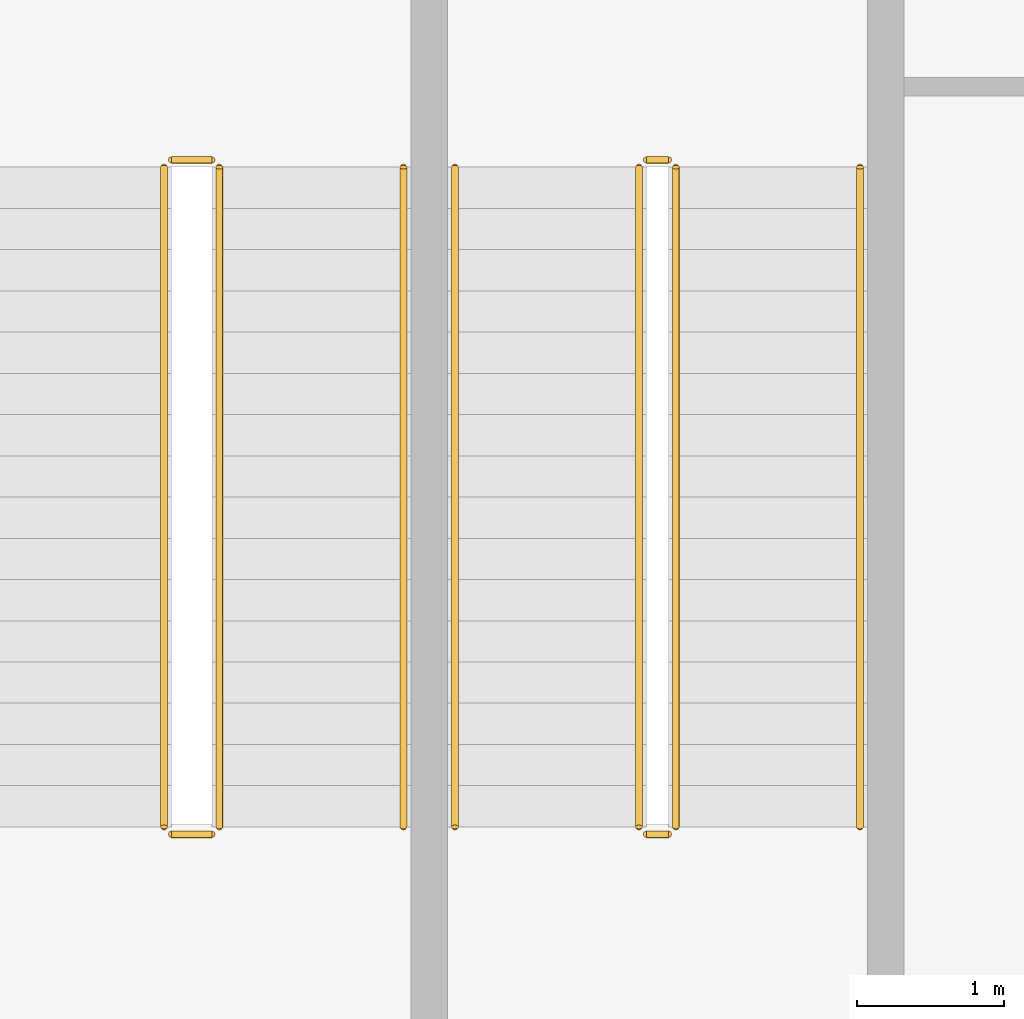
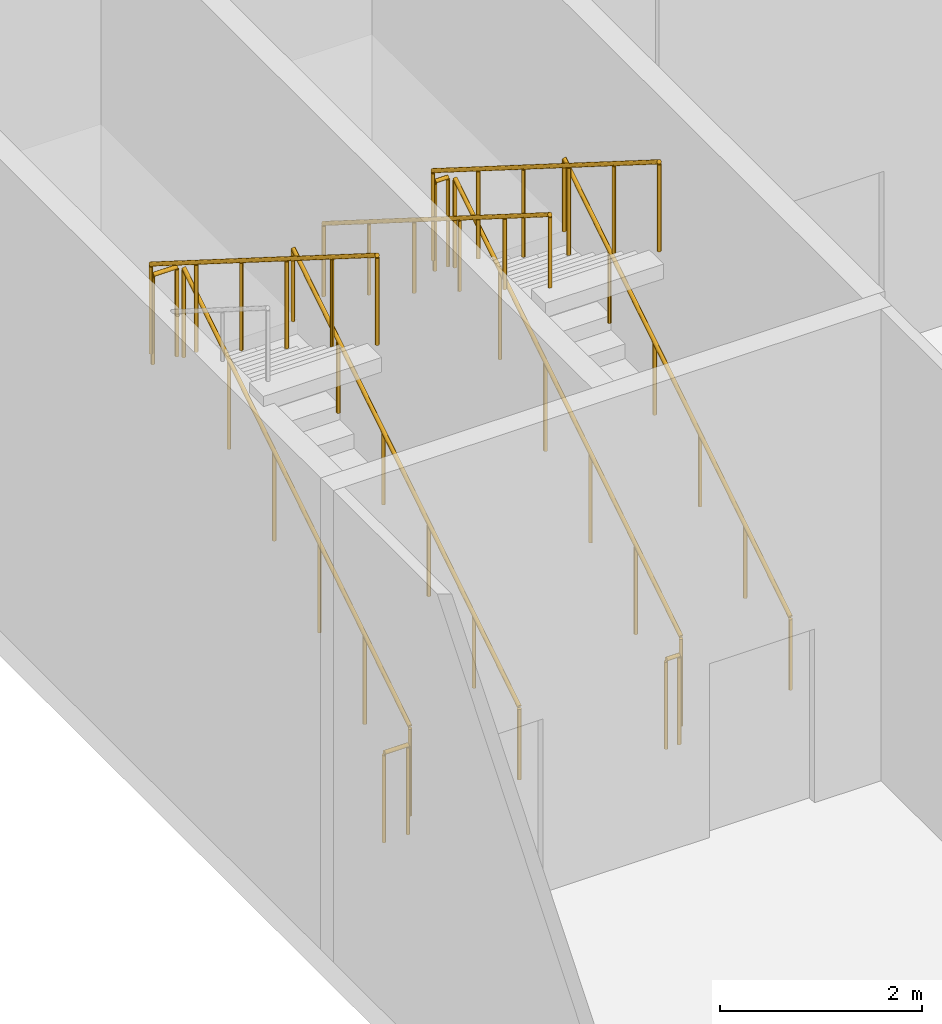
# One storey, part 48 of 49: 11 railings.
"""IFC4 building model written with IfcOpenShell, lengths in metres."""

import ifcopenshell
import ifcopenshell.guid

model = None  # the IFC model being written
_history = None  # IfcOwnerHistory: only IFC2X3 demands one
_inside = {}  # id of a spatial element -> (the spatial element, [elements in it])
_under = {}  # id of a project, library or spatial element -> (it, [spatial elements below it])
_declared = {}  # id of a project -> (the project, [libraries it declares])
_typed = {}  # id of a type object -> (the type object, [elements of that type])
_made_of = {}  # id of a material, layer set ... -> (it, [elements and type objects made of it])


def new_model(schema):
    """Start an empty IFC model of exactly this schema.

    Asked for "IFC4X3", IfcOpenShell would pick the latest addendum, in which some entities
    have other attributes; the version numbers below select the first issue.
    IFC2X3 requires an IfcOwnerHistory on every rooted entity: one is made here for all.
    """
    global model, _history
    if schema == "IFC4X3":
        model = ifcopenshell.file(schema_version=(4, 3, 0, 0))
    else:
        model = ifcopenshell.file(schema=schema)
    _inside.clear()
    _under.clear()
    _declared.clear()
    _typed.clear()
    _made_of.clear()
    _history = None
    if model.schema == "IFC2X3":
        org = make("IfcOrganization", Name="unknown")
        user = make(
            "IfcPersonAndOrganization",
            ThePerson=make("IfcPerson", FamilyName="unknown"),
            TheOrganization=org,
        )
        app = make(
            "IfcApplication",
            ApplicationDeveloper=org,
            Version="unknown",
            ApplicationFullName="unknown",
            ApplicationIdentifier="unknown",
        )
        _history = make(
            "IfcOwnerHistory",
            OwningUser=user,
            OwningApplication=app,
            ChangeAction="ADDED",
            CreationDate=0,
        )
    return model


def make(cls, **values):
    """One entity of the class cls with the attributes given. An attribute that is None is left unset."""
    return model.create_entity(
        cls, **{name: value for name, value in values.items() if value is not None}
    )


def rooted(cls, **values):
    """An entity with a GlobalId (a new one), such as an element, a storey or a relation."""
    return make(cls, GlobalId=ifcopenshell.guid.new(), OwnerHistory=_history, **values)


def si_unit(unit_type, name, prefix=None):
    """IfcSIUnit, for example si_unit("LENGTHUNIT", "METRE", prefix="MILLI")."""
    return make("IfcSIUnit", UnitType=unit_type, Prefix=prefix, Name=name)


def assignment(units):
    """IfcUnitAssignment: the units of a project."""
    return None if units is None else make("IfcUnitAssignment", Units=units)


def point(xyz):
    """IfcCartesianPoint."""
    return None if xyz is None else make("IfcCartesianPoint", Coordinates=xyz)


def direction(xyz):
    """IfcDirection."""
    return None if xyz is None else make("IfcDirection", DirectionRatios=xyz)


def frame(location, z_axis=None, x_axis=None):
    """IfcAxis2Placement3D, a coordinate frame: its origin and axes. An axis left out is left unset."""
    return make(
        "IfcAxis2Placement3D",
        Location=point(location),
        Axis=direction(z_axis),
        RefDirection=direction(x_axis),
    )


def frame_2d(location, x_axis=None):
    """IfcAxis2Placement2D, a coordinate frame in the plane: its origin and x axis."""
    return make(
        "IfcAxis2Placement2D", Location=point(location), RefDirection=direction(x_axis)
    )


def origin():
    """The frame at (0, 0, 0) with its axes left unset."""
    return frame((0.0, 0.0, 0.0))


def origin_2d():
    """The frame at (0, 0) in the plane with its x axis left unset."""
    return frame_2d((0.0, 0.0))


def place(relative_to, where):
    """IfcLocalPlacement: puts the frame where relative to a parent placement (None: the world)."""
    return make(
        "IfcLocalPlacement", PlacementRelTo=relative_to, RelativePlacement=where
    )


def context(
    kind, dimensions, precision=None, world=None, true_north=None, identifier=None
):
    """IfcGeometricRepresentationContext, for example the 3D "Model" context."""
    return make(
        "IfcGeometricRepresentationContext",
        ContextIdentifier=identifier,
        ContextType=kind,
        CoordinateSpaceDimension=dimensions,
        Precision=precision,
        WorldCoordinateSystem=world,
        TrueNorth=true_north,
    )


def subcontext(parent, identifier, kind, view, scale=None):
    """IfcGeometricRepresentationSubContext, for example "Body" below "Model"."""
    return make(
        "IfcGeometricRepresentationSubContext",
        ContextIdentifier=identifier,
        ContextType=kind,
        ParentContext=parent,
        TargetScale=scale,
        TargetView=view,
    )


def project(units=None, contexts=None):
    """IfcProject with its units and contexts."""
    return rooted(
        "IfcProject",
        Name="project",
        RepresentationContexts=contexts,
        UnitsInContext=assignment(units),
    )


def spatial(cls, under=None, at=None, **own):
    """A site, building, storey or space (cls), placed at a placement, below another one or the project."""
    s = rooted(cls, ObjectPlacement=at, **own)
    if under is not None:
        _under.setdefault(under.id(), (under, []))[1].append(s)
    return s


def profile(cls, at=None, kind="AREA", **sizes):
    """A parametric profile (cls). Its sizes go by their IFC names, for example OverallWidth=200.0."""
    return make(cls, ProfileType=kind, Position=at, **sizes)


def circle(**sizes):
    """IfcCircleProfileDef."""
    return profile("IfcCircleProfileDef", **sizes)


def extrude(swept, where, along, depth):
    """IfcExtrudedAreaSolid: the profile swept, set in the frame where, extruded along a direction by depth."""
    return make(
        "IfcExtrudedAreaSolid",
        SweptArea=swept,
        Position=where,
        ExtrudedDirection=direction(along),
        Depth=depth,
    )


def shape(context_of_items, identifier, shape_type, items):
    """IfcShapeRepresentation: the items that make up one representation, for example the "Body"."""
    return make(
        "IfcShapeRepresentation",
        ContextOfItems=context_of_items,
        RepresentationIdentifier=identifier,
        RepresentationType=shape_type,
        Items=items,
    )


def material(Name=None, Category=None):
    """IfcMaterial."""
    return make("IfcMaterial", Name=Name, Category=Category)


def made_of(thing, what):
    """Note that an element or type object is made of a material, layer set ...; save() writes the relation."""
    if what is not None:
        _made_of.setdefault(what.id(), (what, []))[1].append(thing)
    return thing


def type_object(cls, material=None, **own):
    """A type object (cls), such as IfcWallType, which elements share."""
    return made_of(rooted(cls, **own), material)


def element(
    cls,
    number,
    at=None,
    inside=None,
    cuts=None,
    type_object=None,
    material=None,
    context=None,
    identifier="Body",
    shape_type=None,
    held_by="IfcProductDefinitionShape",
    body=None,
    shapes=None,
    **own,
):
    """One element of the class cls, such as IfcWall. Its Tag is "e" and its number.

    at: its placement. inside: the storey or other place that contains it. cuts: it is an
    opening in that element (IfcRelVoidsElement). A single representation is given by context,
    identifier, shape_type and body (its items); several are given by shapes. held_by: the class
    of the entity that holds the representations. save() writes the other relations.
    """
    e = rooted(cls, Tag="e%d" % number, ObjectPlacement=at, **own)
    if body is not None:
        shapes = [shape(context, identifier, shape_type, body)]
    if shapes is not None:
        e.Representation = make(held_by, Representations=shapes)
    if inside is not None:
        _inside.setdefault(inside.id(), (inside, []))[1].append(e)
    if cuts is not None:
        rooted(
            "IfcRelVoidsElement", RelatingBuildingElement=cuts, RelatedOpeningElement=e
        )
    if type_object is not None:
        _typed.setdefault(type_object.id(), (type_object, []))[1].append(e)
    return made_of(e, material)


def aggregate(whole, parts):
    """IfcRelAggregates: a whole, such as a stair, and the parts it consists of."""
    return rooted("IfcRelAggregates", RelatingObject=whole, RelatedObjects=parts)


def save(model, path):
    """Write the relations noted so far, then the file.

    IfcRelAggregates (storeys below a building ...), IfcRelContainedInSpatialStructure (elements
    in a storey), IfcRelDefinesByType, IfcRelAssociatesMaterial and IfcRelDeclares: one each for
    every whole, place, type object, material and project.
    """
    for whole, parts in _under.values():
        aggregate(whole, parts)
    for where, things in _inside.values():
        rooted(
            "IfcRelContainedInSpatialStructure",
            RelatedElements=things,
            RelatingStructure=where,
        )
    for kind, things in _typed.values():
        rooted("IfcRelDefinesByType", RelatedObjects=things, RelatingType=kind)
    for what, things in _made_of.values():
        rooted("IfcRelAssociatesMaterial", RelatedObjects=things, RelatingMaterial=what)
    for by, libraries in _declared.values():
        rooted("IfcRelDeclares", RelatingContext=by, RelatedDefinitions=libraries)
    model.write(path)


model = new_model("IFC4")

# Units and contexts
model_context = context("Model", 3, precision=1e-05, world=origin(), true_north=direction((0.0, 1.0)))
body_context = subcontext(model_context, "Body", "Model", "MODEL_VIEW")
ifc_project = project(units=[si_unit("LENGTHUNIT", "METRE"), si_unit("AREAUNIT", "SQUARE_METRE"), si_unit("VOLUMEUNIT", "CUBIC_METRE"), si_unit("PLANEANGLEUNIT", "RADIAN"), si_unit("MASSUNIT", "GRAM", prefix="KILO")], contexts=[model_context])

# Site, building, storey
site_placement = place(None, origin())
site = spatial("IfcSite", under=ifc_project, at=site_placement, CompositionType="ELEMENT")
building_placement = place(site_placement, origin())
building = spatial("IfcBuilding", under=site, at=building_placement, Name="Candeia Pilgrim Tower and Theatre", CompositionType="ELEMENT")
storey_placement = place(building_placement, frame((0.0, 0.0, 17.0)))
storey = spatial("IfcBuildingStorey", under=building, at=storey_placement, Name="L02", CompositionType="ELEMENT", Elevation=17.0)

# Railings
ifc_material = material(Name="Steel S355", Category="steel")
railing_type_1 = type_object("IfcRailingType", Name="Guard 1100 steel balustrade", PredefinedType="GUARDRAIL", material=ifc_material)
railing_1_placement = place(storey_placement, frame((177.800048828125, 107.77490234375, 0.176513671875)))
element("IfcRailing", 1, at=railing_1_placement, inside=storey, type_object=railing_type_1, Name="L02 TS1 stair guard 1", PredefinedType="GUARDRAIL", context=body_context, shape_type="SweptSolid", body=[
    extrude(circle(Radius=0.02392578125, at=origin_2d()), frame((0.0, 0.0, 1.076171875), z_axis=(0.0, 0.845997938375, 0.533186166611), x_axis=(-1.0, 0.0, 0.0)), (0.0, 0.0, 1.0), 5.29541015625),
    extrude(circle(Radius=0.02099609375, at=origin_2d()), origin(), (0.0, 0.0, 1.0), 1.052001953125),
    extrude(circle(Radius=0.02099609375, at=origin_2d()), frame((0.0, 0.89599609375, 0.564697265625)), (0.0, 0.0, 1.0), 1.052001953125),
    extrude(circle(Radius=0.02099609375, at=origin_2d()), frame((0.0, 1.7919921875, 1.12939453125)), (0.0, 0.0, 1.0), 1.052001953125),
    extrude(circle(Radius=0.02099609375, at=origin_2d()), frame((0.0, 2.68798828125, 1.694091796875)), (0.0, 0.0, 1.0), 1.052001953125),
    extrude(circle(Radius=0.02099609375, at=origin_2d()), frame((0.0, 3.583984375, 2.2587890625)), (0.0, 0.0, 1.0), 1.052001953125),
    extrude(circle(Radius=0.02099609375, at=origin_2d()), frame((0.0, 4.47998046875, 2.823486328125)), (0.0, 0.0, 1.0), 1.052001953125),
])
railing_2_placement = place(storey_placement, frame((177.75, 112.304931640625, 3.0)))
element("IfcRailing", 2, at=railing_2_placement, inside=storey, type_object=railing_type_1, Name="L02 TS1 stair guard 2", PredefinedType="GUARDRAIL", context=body_context, shape_type="SweptSolid", body=[
    extrude(circle(Radius=0.02392578125, at=origin_2d()), frame((0.0, 0.0, 1.076171875), z_axis=(-1.0, 0.0, 0.0), x_axis=(0.0, -1.0, 0.0)), (0.0, 0.0, 1.0), 0.27490234375),
    extrude(circle(Radius=0.02099609375, at=origin_2d()), origin(), (0.0, 0.0, 1.0), 1.052001953125),
    extrude(circle(Radius=0.02099609375, at=origin_2d()), frame((-0.27490234375, 0.0, 0.0)), (0.0, 0.0, 1.0), 1.052001953125),
])
railing_3_placement = place(storey_placement, frame((177.425048828125, 112.2548828125, 3.176513671875)))
element("IfcRailing", 3, at=railing_3_placement, inside=storey, type_object=railing_type_1, Name="L02 TS1 stair guard 3", PredefinedType="GUARDRAIL", context=body_context, shape_type="SweptSolid", body=[
    extrude(circle(Radius=0.02392578125, at=origin_2d()), frame((0.0, 0.0, 1.076171875), z_axis=(0.0, -0.845997938375, 0.533186166611), x_axis=(1.0, 0.0, 0.0)), (0.0, 0.0, 1.0), 5.29541015625),
    extrude(circle(Radius=0.02099609375, at=origin_2d()), origin(), (0.0, 0.0, 1.0), 1.052001953125),
    extrude(circle(Radius=0.02099609375, at=origin_2d()), frame((0.0, -0.89599609375, 0.564697265625)), (0.0, 0.0, 1.0), 1.052001953125),
    extrude(circle(Radius=0.02099609375, at=origin_2d()), frame((0.0, -1.7919921875, 1.12939453125)), (0.0, 0.0, 1.0), 1.052001953125),
    extrude(circle(Radius=0.02099609375, at=origin_2d()), frame((0.0, -2.68798828125, 1.694091796875)), (0.0, 0.0, 1.0), 1.052001953125),
    extrude(circle(Radius=0.02099609375, at=origin_2d()), frame((0.0, -3.583984375, 2.2587890625)), (0.0, 0.0, 1.0), 1.052001953125),
    extrude(circle(Radius=0.02099609375, at=origin_2d()), frame((0.0, -4.47998046875, 2.823486328125)), (0.0, 0.0, 1.0), 1.052001953125),
])
railing_4_placement = place(storey_placement, frame((177.75, 107.72509765625, 0.0)))
element("IfcRailing", 4, at=railing_4_placement, inside=storey, type_object=railing_type_1, Name="L02 TS1 stair guard 4", PredefinedType="GUARDRAIL", context=body_context, shape_type="SweptSolid", body=[
    extrude(circle(Radius=0.02392578125, at=origin_2d()), frame((0.0, 0.0, 1.076171875), z_axis=(-1.0, 0.0, 0.0), x_axis=(0.0, -1.0, 0.0)), (0.0, 0.0, 1.0), 0.27490234375),
    extrude(circle(Radius=0.02099609375, at=origin_2d()), origin(), (0.0, 0.0, 1.0), 1.052001953125),
    extrude(circle(Radius=0.02099609375, at=origin_2d()), frame((-0.27490234375, 0.0, 0.0)), (0.0, 0.0, 1.0), 1.052001953125),
])
railing_5_placement = place(storey_placement, frame((180.89990234375, 107.77490234375, 0.176513671875)))
element("IfcRailing", 5, at=railing_5_placement, inside=storey, type_object=railing_type_1, Name="L02 TS2 stair guard 1", PredefinedType="GUARDRAIL", context=body_context, shape_type="SweptSolid", body=[
    extrude(circle(Radius=0.02392578125, at=origin_2d()), frame((0.0, 0.0, 1.076171875), z_axis=(0.0, 0.845997938375, 0.533186166611), x_axis=(-1.0, 0.0, 0.0)), (0.0, 0.0, 1.0), 5.29541015625),
    extrude(circle(Radius=0.02099609375, at=origin_2d()), origin(), (0.0, 0.0, 1.0), 1.052001953125),
    extrude(circle(Radius=0.02099609375, at=origin_2d()), frame((0.0, 0.89599609375, 0.564697265625)), (0.0, 0.0, 1.0), 1.052001953125),
    extrude(circle(Radius=0.02099609375, at=origin_2d()), frame((0.0, 1.7919921875, 1.12939453125)), (0.0, 0.0, 1.0), 1.052001953125),
    extrude(circle(Radius=0.02099609375, at=origin_2d()), frame((0.0, 2.68798828125, 1.694091796875)), (0.0, 0.0, 1.0), 1.052001953125),
    extrude(circle(Radius=0.02099609375, at=origin_2d()), frame((0.0, 3.583984375, 2.2587890625)), (0.0, 0.0, 1.0), 1.052001953125),
    extrude(circle(Radius=0.02099609375, at=origin_2d()), frame((0.0, 4.47998046875, 2.823486328125)), (0.0, 0.0, 1.0), 1.052001953125),
])
railing_6_placement = place(storey_placement, frame((180.85009765625, 112.304931640625, 3.0)))
element("IfcRailing", 6, at=railing_6_placement, inside=storey, type_object=railing_type_1, Name="L02 TS2 stair guard 2", PredefinedType="GUARDRAIL", context=body_context, shape_type="SweptSolid", body=[
    extrude(circle(Radius=0.02392578125, at=origin_2d()), frame((0.0, 0.0, 1.076171875), z_axis=(-1.0, 0.0, 0.0), x_axis=(0.0, -1.0, 0.0)), (0.0, 0.0, 1.0), 0.150146484375),
    extrude(circle(Radius=0.02099609375, at=origin_2d()), origin(), (0.0, 0.0, 1.0), 1.052001953125),
    extrude(circle(Radius=0.02099609375, at=origin_2d()), frame((-0.150146484375, 0.0, 0.0)), (0.0, 0.0, 1.0), 1.052001953125),
])
railing_7_placement = place(storey_placement, frame((180.64990234375, 112.2548828125, 3.176513671875)))
element("IfcRailing", 7, at=railing_7_placement, inside=storey, type_object=railing_type_1, Name="L02 TS2 stair guard 3", PredefinedType="GUARDRAIL", context=body_context, shape_type="SweptSolid", body=[
    extrude(circle(Radius=0.02392578125, at=origin_2d()), frame((0.0, 0.0, 1.076171875), z_axis=(0.0, -0.845997938375, 0.533186166611), x_axis=(1.0, 0.0, 0.0)), (0.0, 0.0, 1.0), 5.29541015625),
    extrude(circle(Radius=0.02099609375, at=origin_2d()), origin(), (0.0, 0.0, 1.0), 1.052001953125),
    extrude(circle(Radius=0.02099609375, at=origin_2d()), frame((0.0, -0.89599609375, 0.564697265625)), (0.0, 0.0, 1.0), 1.052001953125),
    extrude(circle(Radius=0.02099609375, at=origin_2d()), frame((0.0, -1.7919921875, 1.12939453125)), (0.0, 0.0, 1.0), 1.052001953125),
    extrude(circle(Radius=0.02099609375, at=origin_2d()), frame((0.0, -2.68798828125, 1.694091796875)), (0.0, 0.0, 1.0), 1.052001953125),
    extrude(circle(Radius=0.02099609375, at=origin_2d()), frame((0.0, -3.583984375, 2.2587890625)), (0.0, 0.0, 1.0), 1.052001953125),
    extrude(circle(Radius=0.02099609375, at=origin_2d()), frame((0.0, -4.47998046875, 2.823486328125)), (0.0, 0.0, 1.0), 1.052001953125),
])
railing_8_placement = place(storey_placement, frame((180.85009765625, 107.72509765625, 0.0)))
element("IfcRailing", 8, at=railing_8_placement, inside=storey, type_object=railing_type_1, Name="L02 TS2 stair guard 4", PredefinedType="GUARDRAIL", context=body_context, shape_type="SweptSolid", body=[
    extrude(circle(Radius=0.02392578125, at=origin_2d()), frame((0.0, 0.0, 1.076171875), z_axis=(-1.0, 0.0, 0.0), x_axis=(0.0, -1.0, 0.0)), (0.0, 0.0, 1.0), 0.150146484375),
    extrude(circle(Radius=0.02099609375, at=origin_2d()), origin(), (0.0, 0.0, 1.0), 1.052001953125),
    extrude(circle(Radius=0.02099609375, at=origin_2d()), frame((-0.150146484375, 0.0, 0.0)), (0.0, 0.0, 1.0), 1.052001953125),
])
railing_type_2 = type_object("IfcRailingType", Name="Handrail 900 steel", PredefinedType="HANDRAIL", material=ifc_material)
for number, where, name in (
    (9, (179.050048828125, 107.77490234375, 0.176513671875), "L02 TS1 stair handrail 1"),
    (10, (182.14990234375, 107.77490234375, 0.176513671875), "L02 TS2 stair handrail 1"),
):
    element("IfcRailing", number, at=place(storey_placement, frame(where)), inside=storey, type_object=railing_type_2, Name=name, PredefinedType="HANDRAIL", context=body_context, shape_type="SweptSolid", body=[
        extrude(circle(Radius=0.02392578125, at=origin_2d()), frame((0.0, 0.0, 0.8759765625), z_axis=(0.0, 0.845997938375, 0.533186166611), x_axis=(-1.0, 0.0, 0.0)), (0.0, 0.0, 1.0), 5.29541015625),
        extrude(circle(Radius=0.02099609375, at=origin_2d()), origin(), (0.0, 0.0, 1.0), 0.851806640625),
        extrude(circle(Radius=0.02099609375, at=origin_2d()), frame((0.0, 0.89599609375, 0.564697265625)), (0.0, 0.0, 1.0), 0.851806640625),
        extrude(circle(Radius=0.02099609375, at=origin_2d()), frame((0.0, 1.7919921875, 1.12939453125)), (0.0, 0.0, 1.0), 0.851806640625),
        extrude(circle(Radius=0.02099609375, at=origin_2d()), frame((0.0, 2.68798828125, 1.694091796875)), (0.0, 0.0, 1.0), 0.851806640625),
        extrude(circle(Radius=0.02099609375, at=origin_2d()), frame((0.0, 3.583984375, 2.2587890625)), (0.0, 0.0, 1.0), 0.851806640625),
        extrude(circle(Radius=0.02099609375, at=origin_2d()), frame((0.0, 4.47998046875, 2.823486328125)), (0.0, 0.0, 1.0), 0.851806640625),
    ])
railing_9_placement = place(storey_placement, frame((179.39990234375, 112.2548828125, 3.176513671875)))
element("IfcRailing", 11, at=railing_9_placement, inside=storey, type_object=railing_type_2, Name="L02 TS2 stair handrail 2", PredefinedType="HANDRAIL", context=body_context, shape_type="SweptSolid", body=[
    extrude(circle(Radius=0.02392578125, at=origin_2d()), frame((0.0, 0.0, 0.8759765625), z_axis=(0.0, -0.845997938375, 0.533186166611), x_axis=(1.0, 0.0, 0.0)), (0.0, 0.0, 1.0), 5.29541015625),
    extrude(circle(Radius=0.02099609375, at=origin_2d()), origin(), (0.0, 0.0, 1.0), 0.851806640625),
    extrude(circle(Radius=0.02099609375, at=origin_2d()), frame((0.0, -0.89599609375, 0.564697265625)), (0.0, 0.0, 1.0), 0.851806640625),
    extrude(circle(Radius=0.02099609375, at=origin_2d()), frame((0.0, -1.7919921875, 1.12939453125)), (0.0, 0.0, 1.0), 0.851806640625),
    extrude(circle(Radius=0.02099609375, at=origin_2d()), frame((0.0, -2.68798828125, 1.694091796875)), (0.0, 0.0, 1.0), 0.851806640625),
    extrude(circle(Radius=0.02099609375, at=origin_2d()), frame((0.0, -3.583984375, 2.2587890625)), (0.0, 0.0, 1.0), 0.851806640625),
    extrude(circle(Radius=0.02099609375, at=origin_2d()), frame((0.0, -4.47998046875, 2.823486328125)), (0.0, 0.0, 1.0), 0.851806640625),
])

save(model, "model.ifc")
